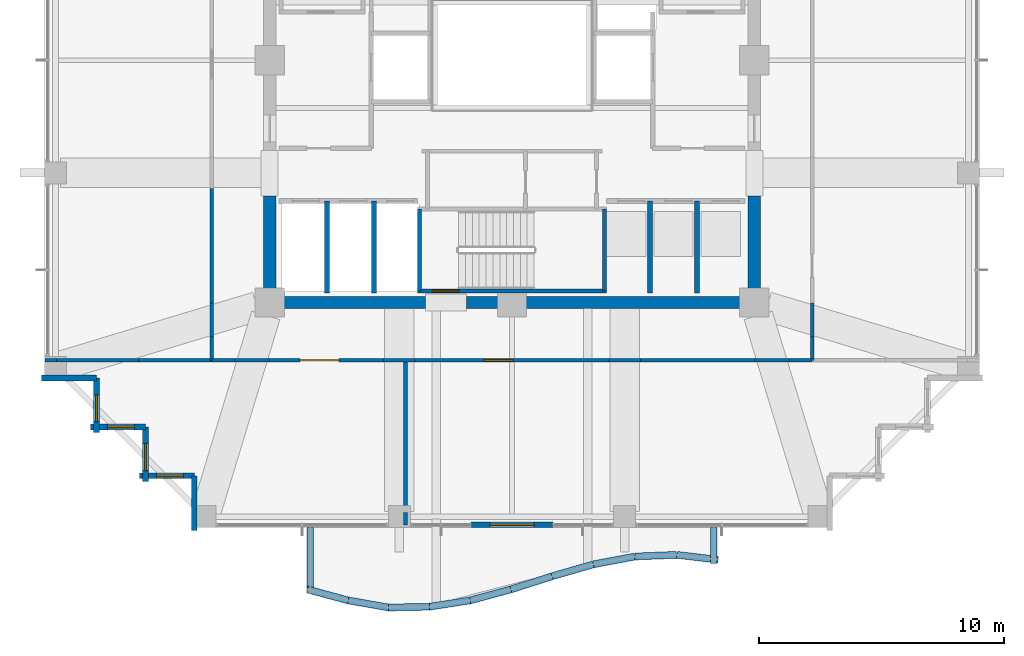
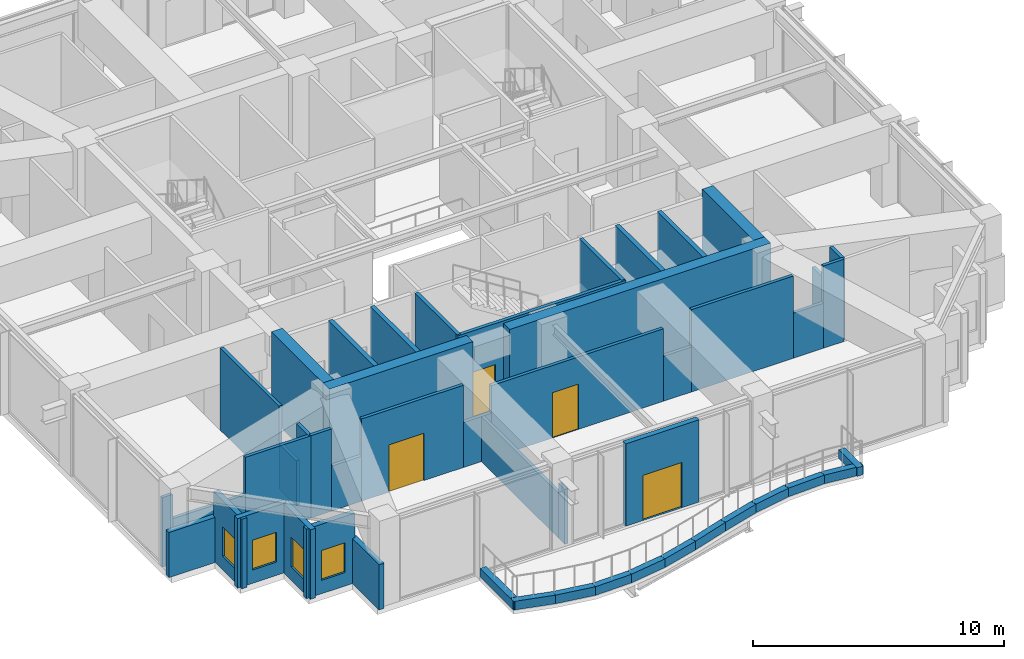
# One storey, part 26 of 33: 49 walls, 4 doors, 4 windows, 8 openings.
"""IFC4 building model written with IfcOpenShell, lengths in metres."""

from ifc_helpers import new_model, si_unit, direction, frame, frame_2d, origin, place, context, subcontext, project, spatial, rectangle, extrude, material, layer, layer_set, type_object, element, fill, save


model = new_model("IFC4")

# Units and contexts
model_context = context("Model", 3, precision=1e-05, world=origin(), true_north=direction((0.0, 1.0)))
body_context = subcontext(model_context, "Body", "Model", "MODEL_VIEW")
ifc_project = project(units=[si_unit("LENGTHUNIT", "METRE"), si_unit("AREAUNIT", "SQUARE_METRE"), si_unit("VOLUMEUNIT", "CUBIC_METRE"), si_unit("PLANEANGLEUNIT", "RADIAN"), si_unit("MASSUNIT", "GRAM", prefix="KILO")], contexts=[model_context])

# Site, building, storey
site_placement = place(None, origin())
site = spatial("IfcSite", under=ifc_project, at=site_placement, CompositionType="ELEMENT")
building_placement = place(site_placement, origin())
building = spatial("IfcBuilding", under=site, at=building_placement, Name="Kolvaren Belvedere", CompositionType="ELEMENT")
storey_placement = place(building_placement, frame((0.0, 0.0, 152.699951171875)))
storey = spatial("IfcBuildingStorey", under=building, at=storey_placement, Name="L44", CompositionType="ELEMENT", Elevation=152.699951171875)

# Walls
ifc_material_1 = material(Name="Concrete C50/60", Category="concrete")
ifc_layer_1 = layer(ifc_material_1, 0.5)
ifc_layer_set_1 = layer_set([ifc_layer_1], Name="Concrete C50/60")
wall_type_1 = type_object("IfcWallType", Name="CW-CORE-500", PredefinedType="SHEAR", material=ifc_layer_set_1)
wall_1_placement = place(storey_placement, frame((10.14990234375, -9.89990234375, 0.0), z_axis=(0.0, 0.0, 1.0), x_axis=(-1.0, 0.0, 0.0)))
element("IfcWall", 1, at=wall_1_placement, inside=storey, type_object=wall_type_1, Name="L44 South Core Shear Wall 1", PredefinedType="SHEAR", context=body_context, shape_type="SweptSolid", body=[
    extrude(rectangle(XDim=12.010009765625, YDim=0.5, at=frame_2d((6.0048828125, 0.0))), origin(), (0.0, 0.0, 1.0), 4.199951171875),
])
wall_2_placement = place(storey_placement, frame((-3.5400390625, -9.89990234375, 0.0), z_axis=(0.0, 0.0, 1.0), x_axis=(-1.0, 0.0, 0.0)))
element("IfcWall", 2, at=wall_2_placement, inside=storey, type_object=wall_type_1, Name="L44 South Core Shear Wall 2", PredefinedType="SHEAR", context=body_context, shape_type="SweptSolid", body=[
    extrude(rectangle(XDim=6.60986328125, YDim=0.5, at=frame_2d((3.304931640625, 0.0))), origin(), (0.0, 0.0, 1.0), 4.199951171875),
])
for number, where, z_axis, x_axis, name in (
    (3, (-9.89990234375, -9.64990234375, 0.0), (0.0, 0.0, 1.0), (0.0, 1.0, 0.0), "L44 West Core Shear Wall 1"),
    (4, (9.89990234375, -9.64990234375, 0.0), (0.0, 0.0, 1.0), (0.0, 1.0, 0.0), "L44 East Core Shear Wall 1"),
):
    element("IfcWall", number, at=place(storey_placement, frame(where, z_axis=z_axis, x_axis=x_axis)), inside=storey, type_object=wall_type_1, Name=name, PredefinedType="SHEAR", context=body_context, shape_type="SweptSolid", body=[
        extrude(rectangle(XDim=4.099853515625, YDim=0.5, at=frame_2d((2.0498046875, 0.0))), origin(), (0.0, 0.0, 1.0), 4.199951171875),
    ])

# Wall, opening, door
ifc_material_2 = material(Name="Concrete C50/60", Category="concrete")
ifc_layer_2 = layer(ifc_material_2, 0.159912109375)
ifc_layer_set_2 = layer_set([ifc_layer_2], Name="Concrete C50/60")
wall_type_2 = type_object("IfcWallType", Name="CW-STAIR-160", PredefinedType="SHEAR", material=ifc_layer_set_2)
wall_3_placement = place(storey_placement, frame((3.860107421875, -9.429931640625, 0.0), z_axis=(0.0, 0.0, 1.0), x_axis=(-1.0, 0.0, 0.0)))
wall_3 = element("IfcWall", 5, at=wall_3_placement, inside=storey, type_object=wall_type_2, Name="L44 Stair ST-3 South Shear Wall", PredefinedType="SHEAR", context=body_context, shape_type="SweptSolid", body=[
    extrude(rectangle(XDim=7.72021484375, YDim=0.159912109375, at=frame_2d((3.860107421875, 0.0))), origin(), (0.0, 0.0, 1.0), 4.199951171875),
])
opening_1_placement = place(wall_3_placement, frame((6.010009765625, 0.0, 0.0)))
opening_1 = element("IfcOpeningElement", 6, at=opening_1_placement, cuts=wall_3, Name="Opening D-FD90", PredefinedType="OPENING", context=body_context, shape_type="SweptSolid", body=[
    extrude(rectangle(XDim=1.10009765625, YDim=2.199951171875, at=frame_2d((0.550048828125, 1.10009765625))), frame((0.0, 0.08984375, 0.0), z_axis=(0.0, -1.0, 0.0), x_axis=(1.0, 0.0, 0.0)), (0.0, 0.0, 1.0), 0.179931640625),
])
ifc_material_3 = material(Name="Painted hollow stainless steel", Category="steel")
door_type_1 = type_object("IfcDoorType", Name="DR-FD90-1100", OperationType="NOTDEFINED", PredefinedType="DOOR", material=ifc_material_3)
door_1_placement = place(opening_1_placement, origin())
door_1 = element("IfcDoor", 7, at=door_1_placement, inside=storey, type_object=door_type_1, Name="L44 Stair ST-3 Exit Door", OperationType="SINGLE_SWING_RIGHT", OverallHeight=2.199951171875, OverallWidth=1.10009765625, PredefinedType="DOOR", context=body_context, shape_type="SweptSolid", body=[
    extrude(rectangle(XDim=1.10009765625, YDim=2.199951171875, at=frame_2d((0.550048828125, 1.10009765625))), frame((0.0, 0.02490234375, 0.0), z_axis=(0.0, -1.0, 0.0), x_axis=(1.0, 0.0, 0.0)), (0.0, 0.0, 1.0), 0.050048828125),
])
fill(opening_1, door_1)

# Walls
for number, where, z_axis, x_axis, name in (
    (8, (-3.780029296875, -9.429931640625, 0.0), (0.0, 0.0, 1.0), (0.0, 1.0, 0.0), "L44 Stair ST-3 West Shear Wall"),
    (9, (3.780029296875, -9.429931640625, 0.0), (0.0, 0.0, 1.0), (0.0, 1.0, 0.0), "L44 Stair ST-3 East Shear Wall"),
):
    element("IfcWall", number, at=place(storey_placement, frame(where, z_axis=z_axis, x_axis=x_axis)), inside=storey, type_object=wall_type_2, Name=name, PredefinedType="SHEAR", context=body_context, shape_type="SweptSolid", body=[
        extrude(rectangle(XDim=3.349853515625, YDim=0.159912109375, at=frame_2d((1.6748046875, 0.0))), origin(), (0.0, 0.0, 1.0), 4.199951171875),
    ])
ifc_material_4 = material(Name="Gypsum fire-rated partition assembly", Category="gypsum")
ifc_layer_3 = layer(ifc_material_4, 0.14990234375)
ifc_layer_set_3 = layer_set([ifc_layer_3], Name="Gypsum fire-rated partition assembly")
wall_type_3 = type_object("IfcWallType", Name="WL-CORR-150", PredefinedType="PARTITIONING", material=ifc_layer_set_3)
wall_4_placement = place(storey_placement, frame((-12.260009765625, -12.260009765625, 0.0), z_axis=(0.0, 0.0, 1.0), x_axis=(1.0, 0.0, 0.0)))
element("IfcWall", 10, at=wall_4_placement, inside=storey, type_object=wall_type_3, Name="L44 South Corridor Wall", PredefinedType="PARTITIONING", context=body_context, shape_type="SweptSolid", body=[
    extrude(rectangle(XDim=0.949462890625, YDim=0.14990234375, at=frame_2d((0.474609375, 0.0))), origin(), (0.0, 0.0, 1.0), 4.0),
])
wall_5_placement = place(storey_placement, frame((-11.310546875, -12.260009765625, 0.0), z_axis=(0.0, 0.0, 1.0), x_axis=(1.0, 0.0, 0.0)))
element("IfcWall", 11, at=wall_5_placement, inside=storey, type_object=wall_type_3, Name="L44 South Corridor Wall", PredefinedType="PARTITIONING", context=body_context, shape_type="SweptSolid", body=[
    extrude(rectangle(XDim=1.3916015625, YDim=0.14990234375, at=frame_2d((0.69580078125, 0.0))), origin(), (0.0, 0.0, 1.0), 2.18505859375),
])

# Wall, opening, door
wall_6_placement = place(storey_placement, frame((-9.9189453125, -12.260009765625, 0.0), z_axis=(0.0, 0.0, 1.0), x_axis=(1.0, 0.0, 0.0)))
wall_6 = element("IfcWall", 12, at=wall_6_placement, inside=storey, type_object=wall_type_3, Name="L44 South Corridor Wall", PredefinedType="PARTITIONING", context=body_context, shape_type="SweptSolid", body=[
    extrude(rectangle(XDim=4.677001953125, YDim=0.14990234375, at=frame_2d((2.33837890625, 0.0))), origin(), (0.0, 0.0, 1.0), 4.0),
])
opening_2_placement = place(wall_6_placement, frame((1.2587890625, 0.0, 0.0)))
opening_2 = element("IfcOpeningElement", 13, at=opening_2_placement, cuts=wall_6, Name="Opening D-GL16", PredefinedType="OPENING", context=body_context, shape_type="SweptSolid", body=[
    extrude(rectangle(XDim=1.60009765625, YDim=2.300048828125, at=frame_2d((0.800048828125, 1.14990234375))), frame((0.0, 0.0849609375, 0.0), z_axis=(0.0, -1.0, 0.0), x_axis=(1.0, 0.0, 0.0)), (0.0, 0.0, 1.0), 0.169921875),
])
ifc_material_5 = material(Name="Anodised pale-metal aluminium & safety glass", Category="aluminium")
door_type_2 = type_object("IfcDoorType", Name="DR-GLAZ-1600", OperationType="DOUBLE_DOOR_SINGLE_SWING", PredefinedType="DOOR", material=ifc_material_5)
door_2_placement = place(opening_2_placement, origin())
door_2 = element("IfcDoor", 14, at=door_2_placement, inside=storey, type_object=door_type_2, Name="L44 Atrium Overlook Horizon Lounge Door", OperationType="DOUBLE_DOOR_SINGLE_SWING", OverallHeight=2.300048828125, OverallWidth=1.60009765625, PredefinedType="DOOR", context=body_context, shape_type="SweptSolid", body=[
    extrude(rectangle(XDim=1.60009765625, YDim=2.300048828125, at=frame_2d((0.800048828125, 1.14990234375))), frame((0.0, 0.02490234375, 0.0), z_axis=(0.0, -1.0, 0.0), x_axis=(1.0, 0.0, 0.0)), (0.0, 0.0, 1.0), 0.050048828125),
])
fill(opening_2, door_2)

# Wall
wall_7_placement = place(storey_placement, frame((-5.241943359375, -12.260009765625, 0.0), z_axis=(0.0, 0.0, 1.0), x_axis=(1.0, 0.0, 0.0)))
element("IfcWall", 15, at=wall_7_placement, inside=storey, type_object=wall_type_3, Name="L44 South Corridor Wall", PredefinedType="PARTITIONING", context=body_context, shape_type="SweptSolid", body=[
    extrude(rectangle(XDim=1.283935546875, YDim=0.14990234375, at=frame_2d((0.64208984375, 0.0))), origin(), (0.0, 0.0, 1.0), 2.18505859375),
])

# Wall, opening, door
wall_8_placement = place(storey_placement, frame((-3.9580078125, -12.260009765625, 0.0), z_axis=(0.0, 0.0, 1.0), x_axis=(1.0, 0.0, 0.0)))
wall_8 = element("IfcWall", 16, at=wall_8_placement, inside=storey, type_object=wall_type_3, Name="L44 South Corridor Wall", PredefinedType="PARTITIONING", context=body_context, shape_type="SweptSolid", body=[
    extrude(rectangle(XDim=7.916015625, YDim=0.14990234375, at=frame_2d((3.9580078125, 0.0))), origin(), (0.0, 0.0, 1.0), 3.525146484375),
])
opening_3_placement = place(wall_8_placement, frame((2.80810546875, 0.0, 0.0)))
opening_3 = element("IfcOpeningElement", 17, at=opening_3_placement, cuts=wall_8, Name="Opening D-GL12", PredefinedType="OPENING", context=body_context, shape_type="SweptSolid", body=[
    extrude(rectangle(XDim=1.199951171875, YDim=2.199951171875, at=frame_2d((0.60009765625, 1.10009765625))), frame((0.0, 0.0849609375, 0.0), z_axis=(0.0, -1.0, 0.0), x_axis=(1.0, 0.0, 0.0)), (0.0, 0.0, 1.0), 0.169921875),
])
ifc_material_6 = material(Name="Anodised pale-metal aluminium & safety glass", Category="aluminium")
door_type_3 = type_object("IfcDoorType", Name="DR-GLAZ-1200", OperationType="DOUBLE_DOOR_SINGLE_SWING", PredefinedType="DOOR", material=ifc_material_6)
door_3_placement = place(opening_3_placement, origin())
door_3 = element("IfcDoor", 18, at=door_3_placement, inside=storey, type_object=door_type_3, Name="L44 Horizon Tasting Salon Door", OperationType="DOUBLE_DOOR_SINGLE_SWING", OverallHeight=2.199951171875, OverallWidth=1.199951171875, PredefinedType="DOOR", context=body_context, shape_type="SweptSolid", body=[
    extrude(rectangle(XDim=1.199951171875, YDim=2.199951171875, at=frame_2d((0.60009765625, 1.10009765625))), frame((0.0, 0.02490234375, 0.0), z_axis=(0.0, -1.0, 0.0), x_axis=(1.0, 0.0, 0.0)), (0.0, 0.0, 1.0), 0.050048828125),
])
fill(opening_3, door_3)

# Walls
wall_9_placement = place(storey_placement, frame((3.9580078125, -12.260009765625, 0.0), z_axis=(0.0, 0.0, 1.0), x_axis=(1.0, 0.0, 0.0)))
element("IfcWall", 19, at=wall_9_placement, inside=storey, type_object=wall_type_3, Name="L44 South Corridor Wall", PredefinedType="PARTITIONING", context=body_context, shape_type="SweptSolid", body=[
    extrude(rectangle(XDim=1.283935546875, YDim=0.14990234375, at=frame_2d((0.64208984375, 0.0))), origin(), (0.0, 0.0, 1.0), 2.18505859375),
])
wall_10_placement = place(storey_placement, frame((5.241943359375, -12.260009765625, 0.0), z_axis=(0.0, 0.0, 1.0), x_axis=(1.0, 0.0, 0.0)))
element("IfcWall", 20, at=wall_10_placement, inside=storey, type_object=wall_type_3, Name="L44 South Corridor Wall", PredefinedType="PARTITIONING", context=body_context, shape_type="SweptSolid", body=[
    extrude(rectangle(XDim=4.677001953125, YDim=0.14990234375, at=frame_2d((2.33837890625, 0.0))), origin(), (0.0, 0.0, 1.0), 4.0),
])
wall_11_placement = place(storey_placement, frame((9.9189453125, -12.260009765625, 0.0), z_axis=(0.0, 0.0, 1.0), x_axis=(1.0, 0.0, 0.0)))
element("IfcWall", 21, at=wall_11_placement, inside=storey, type_object=wall_type_3, Name="L44 South Corridor Wall", PredefinedType="PARTITIONING", context=body_context, shape_type="SweptSolid", body=[
    extrude(rectangle(XDim=1.3916015625, YDim=0.14990234375, at=frame_2d((0.69580078125, 0.0))), origin(), (0.0, 0.0, 1.0), 2.18505859375),
])
for number, where, z_axis, x_axis, name in (
    (22, (11.310546875, -12.260009765625, 0.0), (0.0, 0.0, 1.0), (1.0, 0.0, 0.0), "L44 South Corridor Wall"),
    (23, (-12.260009765625, -12.260009765625, 0.0), (0.0, 0.0, 1.0), (0.0, 1.0, 0.0), "L44 West Corridor Wall"),
):
    element("IfcWall", number, at=place(storey_placement, frame(where, z_axis=z_axis, x_axis=x_axis)), inside=storey, type_object=wall_type_3, Name=name, PredefinedType="PARTITIONING", context=body_context, shape_type="SweptSolid", body=[
        extrude(rectangle(XDim=0.949462890625, YDim=0.14990234375, at=frame_2d((0.474609375, 0.0))), origin(), (0.0, 0.0, 1.0), 4.0),
    ])
wall_12_placement = place(storey_placement, frame((-12.260009765625, -11.310546875, 0.0), z_axis=(0.0, 0.0, 1.0), x_axis=(0.0, 1.0, 0.0)))
element("IfcWall", 24, at=wall_12_placement, inside=storey, type_object=wall_type_3, Name="L44 West Corridor Wall", PredefinedType="PARTITIONING", context=body_context, shape_type="SweptSolid", body=[
    extrude(rectangle(XDim=1.3916015625, YDim=0.14990234375, at=frame_2d((0.69580078125, 0.0))), origin(), (0.0, 0.0, 1.0), 2.18505859375),
])
wall_13_placement = place(storey_placement, frame((-12.260009765625, -9.9189453125, 0.0), z_axis=(0.0, 0.0, 1.0), x_axis=(0.0, 1.0, 0.0)))
element("IfcWall", 25, at=wall_13_placement, inside=storey, type_object=wall_type_3, Name="L44 West Corridor Wall", PredefinedType="PARTITIONING", context=body_context, shape_type="SweptSolid", body=[
    extrude(rectangle(XDim=4.677001953125, YDim=0.14990234375, at=frame_2d((2.33837890625, 0.0))), origin(), (0.0, 0.0, 1.0), 4.0),
])
wall_14_placement = place(storey_placement, frame((12.260009765625, -12.260009765625, 0.0), z_axis=(0.0, 0.0, 1.0), x_axis=(0.0, 1.0, 0.0)))
element("IfcWall", 26, at=wall_14_placement, inside=storey, type_object=wall_type_3, Name="L44 East Corridor Wall", PredefinedType="PARTITIONING", context=body_context, shape_type="SweptSolid", body=[
    extrude(rectangle(XDim=0.949462890625, YDim=0.14990234375, at=frame_2d((0.474609375, 0.0))), origin(), (0.0, 0.0, 1.0), 4.0),
])
wall_15_placement = place(storey_placement, frame((12.260009765625, -11.310546875, 0.0), z_axis=(0.0, 0.0, 1.0), x_axis=(0.0, 1.0, 0.0)))
element("IfcWall", 27, at=wall_15_placement, inside=storey, type_object=wall_type_3, Name="L44 East Corridor Wall", PredefinedType="PARTITIONING", context=body_context, shape_type="SweptSolid", body=[
    extrude(rectangle(XDim=1.3916015625, YDim=0.14990234375, at=frame_2d((0.69580078125, 0.0))), origin(), (0.0, 0.0, 1.0), 2.18505859375),
])
wall_16_placement = place(storey_placement, frame((-19.080078125, -12.260009765625, 0.0), z_axis=(0.0, 0.0, 1.0), x_axis=(1.0, 0.0, 0.0)))
element("IfcWall", 28, at=wall_16_placement, inside=storey, type_object=wall_type_3, Name="L44 Sector Wall PW-L44-QSW", PredefinedType="PARTITIONING", context=body_context, shape_type="SweptSolid", body=[
    extrude(rectangle(XDim=0.473876953125, YDim=0.14990234375, at=frame_2d((0.23681640625, 0.0))), origin(), (0.0, 0.0, 1.0), 3.373046875),
])
wall_17_placement = place(storey_placement, frame((-18.606201171875, -12.260009765625, 0.0), z_axis=(0.0, 0.0, 1.0), x_axis=(1.0, 0.0, 0.0)))
element("IfcWall", 29, at=wall_17_placement, inside=storey, type_object=wall_type_3, Name="L44 Sector Wall PW-L44-QSW", PredefinedType="PARTITIONING", context=body_context, shape_type="SweptSolid", body=[
    extrude(rectangle(XDim=3.34228515625, YDim=0.14990234375, at=frame_2d((1.671142578125, 0.0))), origin(), (0.0, 0.0, 1.0), 2.18505859375),
])
wall_18_placement = place(storey_placement, frame((-15.263916015625, -12.260009765625, 0.0), z_axis=(0.0, 0.0, 1.0), x_axis=(1.0, 0.0, 0.0)))
element("IfcWall", 30, at=wall_18_placement, inside=storey, type_object=wall_type_3, Name="L44 Sector Wall PW-L44-QSW", PredefinedType="PARTITIONING", context=body_context, shape_type="SweptSolid", body=[
    extrude(rectangle(XDim=3.00390625, YDim=0.14990234375, at=frame_2d((1.501953125, 0.0))), origin(), (0.0, 0.0, 1.0), 4.0),
])

# Wall, opening, door
ifc_material_7 = material(Name="Insulated pale-metal facade wall assembly", Category="aluminium")
ifc_layer_4 = layer(ifc_material_7, 0.239990234375)
ifc_layer_set_4 = layer_set([ifc_layer_4], Name="Insulated pale-metal facade wall assembly")
wall_type_4 = type_object("IfcWallType", Name="WL-EXT-240", PredefinedType="STANDARD", material=ifc_layer_set_4)
wall_19_placement = place(storey_placement, frame((1.679931640625, -18.97998046875, 0.0), z_axis=(0.0, 0.0, 1.0), x_axis=(-1.0, 0.0, 0.0)))
wall_19 = element("IfcWall", 31, at=wall_19_placement, inside=storey, type_object=wall_type_4, Name="L44 South Terrace Portal Wall", PredefinedType="STANDARD", context=body_context, shape_type="SweptSolid", body=[
    extrude(rectangle(XDim=3.35986328125, YDim=0.239990234375, at=frame_2d((1.679931640625, 0.0))), origin(), (0.0, 0.0, 1.0), 4.0),
])
opening_4_placement = place(wall_19_placement, frame((0.780029296875, 0.0, 0.0)))
opening_4 = element("IfcOpeningElement", 32, at=opening_4_placement, cuts=wall_19, Name="Opening DB-1800", PredefinedType="OPENING", context=body_context, shape_type="SweptSolid", body=[
    extrude(rectangle(XDim=1.800048828125, YDim=2.199951171875, at=frame_2d((0.89990234375, 1.10009765625))), frame((0.0, 0.1298828125, 0.0), z_axis=(0.0, -1.0, 0.0), x_axis=(1.0, 0.0, 0.0)), (0.0, 0.0, 1.0), 0.260009765625),
])
ifc_material_8 = material(Name="Thermally broken pale-metal aluminium & low-iron glass", Category="aluminium")
door_type_4 = type_object("IfcDoorType", Name="DR-BAL-1800", OperationType="DOUBLE_DOOR_SLIDING", PredefinedType="DOOR", material=ifc_material_8)
door_4_placement = place(opening_4_placement, origin())
door_4 = element("IfcDoor", 33, at=door_4_placement, inside=storey, type_object=door_type_4, Name="L44 South Planted Terrace Sliding Door", OperationType="DOUBLE_DOOR_SLIDING", OverallHeight=2.199951171875, OverallWidth=1.800048828125, PredefinedType="DOOR", context=body_context, shape_type="SweptSolid", body=[
    extrude(rectangle(XDim=1.800048828125, YDim=2.199951171875, at=frame_2d((0.89990234375, 1.10009765625))), frame((0.0, 0.02490234375, 0.0), z_axis=(0.0, -1.0, 0.0), x_axis=(1.0, 0.0, 0.0)), (0.0, 0.0, 1.0), 0.050048828125),
])
fill(opening_4, door_4)

# Wall
wall_20_placement = place(storey_placement, frame((-16.97998046875, -12.97998046875, 0.0), z_axis=(0.0, 0.0, 1.0), x_axis=(-1.0, 0.0, 0.0)))
element("IfcWall", 34, at=wall_20_placement, inside=storey, type_object=wall_type_4, Name="L44 Serrated Corner Facade Wall 23", PredefinedType="STANDARD", context=body_context, shape_type="SweptSolid", body=[
    extrude(rectangle(XDim=2.239990234375, YDim=0.239990234375, at=frame_2d((1.1201171875, 0.0))), origin(), (0.0, 0.0, 1.0), 2.195068359375),
])

# Wall, opening, window
wall_21_placement = place(storey_placement, frame((-16.97998046875, -15.219970703125, 0.0), z_axis=(0.0, 0.0, 1.0), x_axis=(0.0, 1.0, 0.0)))
wall_21 = element("IfcWall", 35, at=wall_21_placement, inside=storey, type_object=wall_type_4, Name="L44 Serrated Corner Facade Wall 24", PredefinedType="STANDARD", context=body_context, shape_type="SweptSolid", body=[
    extrude(rectangle(XDim=2.239990234375, YDim=0.239990234375, at=frame_2d((1.1201171875, 0.0))), origin(), (0.0, 0.0, 1.0), 3.383056640625),
])
opening_5_placement = place(wall_21_placement, frame((0.449951171875, 0.0, 0.64990234375)))
opening_5 = element("IfcOpeningElement", 36, at=opening_5_placement, cuts=wall_21, Name="Opening W-1100", PredefinedType="OPENING", context=body_context, shape_type="SweptSolid", body=[
    extrude(rectangle(XDim=1.10009765625, YDim=1.449951171875, at=frame_2d((0.550048828125, 0.72509765625))), frame((0.0, 0.1298828125, 0.0), z_axis=(0.0, -1.0, 0.0), x_axis=(1.0, 0.0, 0.0)), (0.0, 0.0, 1.0), 0.260009765625),
])
ifc_material_9 = material(Name="Low-iron triple insulated glass", Category="glass")
window_type = type_object("IfcWindowType", Name="WN-CORN-1100", PartitioningType="SINGLE_PANEL", PredefinedType="WINDOW", material=ifc_material_9)
window_1_placement = place(opening_5_placement, origin())
window_1 = element("IfcWindow", 37, at=window_1_placement, inside=storey, type_object=window_type, Name="L44 Serrated Corner Vision Window 24", OverallHeight=1.449951171875, OverallWidth=1.10009765625, PartitioningType="SINGLE_PANEL", PredefinedType="WINDOW", context=body_context, shape_type="SweptSolid", body=[
    extrude(rectangle(XDim=1.10009765625, YDim=1.449951171875, at=frame_2d((0.550048828125, 0.72509765625))), frame((0.0, 0.030029296875, 0.0), z_axis=(0.0, -1.0, 0.0), x_axis=(1.0, 0.0, 0.0)), (0.0, 0.0, 1.0), 0.06005859375),
])
fill(opening_5, window_1)

wall_22_placement = place(storey_placement, frame((-14.97998046875, -14.97998046875, 0.0), z_axis=(0.0, 0.0, 1.0), x_axis=(-1.0, 0.0, 0.0)))
wall_22 = element("IfcWall", 38, at=wall_22_placement, inside=storey, type_object=wall_type_4, Name="L44 Serrated Corner Facade Wall 25", PredefinedType="STANDARD", context=body_context, shape_type="SweptSolid", body=[
    extrude(rectangle(XDim=2.239990234375, YDim=0.239990234375, at=frame_2d((1.1201171875, 0.0))), origin(), (0.0, 0.0, 1.0), 3.383056640625),
])
opening_6_placement = place(wall_22_placement, frame((0.449951171875, 0.0, 0.64990234375)))
opening_6 = element("IfcOpeningElement", 39, at=opening_6_placement, cuts=wall_22, Name="Opening W-1100", PredefinedType="OPENING", context=body_context, shape_type="SweptSolid", body=[
    extrude(rectangle(XDim=1.10009765625, YDim=1.449951171875, at=frame_2d((0.550048828125, 0.72509765625))), frame((0.0, 0.1298828125, 0.0), z_axis=(0.0, -1.0, 0.0), x_axis=(1.0, 0.0, 0.0)), (0.0, 0.0, 1.0), 0.260009765625),
])
window_2_placement = place(opening_6_placement, origin())
window_2 = element("IfcWindow", 40, at=window_2_placement, inside=storey, type_object=window_type, Name="L44 Serrated Corner Vision Window 25", OverallHeight=1.449951171875, OverallWidth=1.10009765625, PartitioningType="SINGLE_PANEL", PredefinedType="WINDOW", context=body_context, shape_type="SweptSolid", body=[
    extrude(rectangle(XDim=1.10009765625, YDim=1.449951171875, at=frame_2d((0.550048828125, 0.72509765625))), frame((0.0, 0.030029296875, 0.0), z_axis=(0.0, -1.0, 0.0), x_axis=(1.0, 0.0, 0.0)), (0.0, 0.0, 1.0), 0.06005859375),
])
fill(opening_6, window_2)

wall_23_placement = place(storey_placement, frame((-14.97998046875, -17.219970703125, 0.0), z_axis=(0.0, 0.0, 1.0), x_axis=(0.0, 1.0, 0.0)))
wall_23 = element("IfcWall", 41, at=wall_23_placement, inside=storey, type_object=wall_type_4, Name="L44 Serrated Corner Facade Wall 26", PredefinedType="STANDARD", context=body_context, shape_type="SweptSolid", body=[
    extrude(rectangle(XDim=2.239990234375, YDim=0.239990234375, at=frame_2d((1.1201171875, 0.0))), origin(), (0.0, 0.0, 1.0), 3.383056640625),
])
opening_7_placement = place(wall_23_placement, frame((0.449951171875, 0.0, 0.64990234375)))
opening_7 = element("IfcOpeningElement", 42, at=opening_7_placement, cuts=wall_23, Name="Opening W-1100", PredefinedType="OPENING", context=body_context, shape_type="SweptSolid", body=[
    extrude(rectangle(XDim=1.10009765625, YDim=1.449951171875, at=frame_2d((0.550048828125, 0.72509765625))), frame((0.0, 0.1298828125, 0.0), z_axis=(0.0, -1.0, 0.0), x_axis=(1.0, 0.0, 0.0)), (0.0, 0.0, 1.0), 0.260009765625),
])
window_3_placement = place(opening_7_placement, origin())
window_3 = element("IfcWindow", 43, at=window_3_placement, inside=storey, type_object=window_type, Name="L44 Serrated Corner Vision Window 26", OverallHeight=1.449951171875, OverallWidth=1.10009765625, PartitioningType="SINGLE_PANEL", PredefinedType="WINDOW", context=body_context, shape_type="SweptSolid", body=[
    extrude(rectangle(XDim=1.10009765625, YDim=1.449951171875, at=frame_2d((0.550048828125, 0.72509765625))), frame((0.0, 0.030029296875, 0.0), z_axis=(0.0, -1.0, 0.0), x_axis=(1.0, 0.0, 0.0)), (0.0, 0.0, 1.0), 0.06005859375),
])
fill(opening_7, window_3)

wall_24_placement = place(storey_placement, frame((-12.97998046875, -16.97998046875, 0.0), z_axis=(0.0, 0.0, 1.0), x_axis=(-1.0, 0.0, 0.0)))
wall_24 = element("IfcWall", 44, at=wall_24_placement, inside=storey, type_object=wall_type_4, Name="L44 Serrated Corner Facade Wall 27", PredefinedType="STANDARD", context=body_context, shape_type="SweptSolid", body=[
    extrude(rectangle(XDim=2.239990234375, YDim=0.239990234375, at=frame_2d((1.1201171875, 0.0))), origin(), (0.0, 0.0, 1.0), 3.383056640625),
])
opening_8_placement = place(wall_24_placement, frame((0.449951171875, 0.0, 0.64990234375)))
opening_8 = element("IfcOpeningElement", 45, at=opening_8_placement, cuts=wall_24, Name="Opening W-1100", PredefinedType="OPENING", context=body_context, shape_type="SweptSolid", body=[
    extrude(rectangle(XDim=1.10009765625, YDim=1.449951171875, at=frame_2d((0.550048828125, 0.72509765625))), frame((0.0, 0.1298828125, 0.0), z_axis=(0.0, -1.0, 0.0), x_axis=(1.0, 0.0, 0.0)), (0.0, 0.0, 1.0), 0.260009765625),
])
window_4_placement = place(opening_8_placement, origin())
window_4 = element("IfcWindow", 46, at=window_4_placement, inside=storey, type_object=window_type, Name="L44 Serrated Corner Vision Window 27", OverallHeight=1.449951171875, OverallWidth=1.10009765625, PartitioningType="SINGLE_PANEL", PredefinedType="WINDOW", context=body_context, shape_type="SweptSolid", body=[
    extrude(rectangle(XDim=1.10009765625, YDim=1.449951171875, at=frame_2d((0.550048828125, 0.72509765625))), frame((0.0, 0.030029296875, 0.0), z_axis=(0.0, -1.0, 0.0), x_axis=(1.0, 0.0, 0.0)), (0.0, 0.0, 1.0), 0.06005859375),
])
fill(opening_8, window_4)

# Walls
wall_25_placement = place(storey_placement, frame((-12.97998046875, -19.219970703125, 0.0), z_axis=(0.0, 0.0, 1.0), x_axis=(0.0, 1.0, 0.0)))
element("IfcWall", 47, at=wall_25_placement, inside=storey, type_object=wall_type_4, Name="L44 Serrated Corner Facade Wall 28", PredefinedType="STANDARD", context=body_context, shape_type="SweptSolid", body=[
    extrude(rectangle(XDim=2.239990234375, YDim=0.239990234375, at=frame_2d((1.1201171875, 0.0))), origin(), (0.0, 0.0, 1.0), 2.195068359375),
])
ifc_material_10 = material(Name="Gypsum acoustic partition assembly", Category="gypsum")
ifc_layer_5 = layer(ifc_material_10, 0.14990234375)
ifc_layer_set_5 = layer_set([ifc_layer_5], Name="Gypsum acoustic partition assembly")
wall_type_5 = type_object("IfcWallType", Name="WL-PART-150", PredefinedType="PARTITIONING", material=ifc_layer_set_5)
wall_26_placement = place(storey_placement, frame((-4.35009765625, -18.97998046875, 0.0), z_axis=(0.0, 0.0, 1.0), x_axis=(0.0, 1.0, 0.0)))
element("IfcWall", 48, at=wall_26_placement, inside=storey, type_object=wall_type_5, Name="L44 South Salon Divider", PredefinedType="PARTITIONING", context=body_context, shape_type="SweptSolid", body=[
    extrude(rectangle(XDim=0.50244140625, YDim=0.14990234375, at=frame_2d((0.251220703125, 0.0))), origin(), (0.0, 0.0, 1.0), 2.678955078125),
])
wall_27_placement = place(storey_placement, frame((-4.35009765625, -18.4775390625, 0.0), z_axis=(0.0, 0.0, 1.0), x_axis=(0.0, 1.0, 0.0)))
element("IfcWall", 49, at=wall_27_placement, inside=storey, type_object=wall_type_5, Name="L44 South Salon Divider", PredefinedType="PARTITIONING", context=body_context, shape_type="SweptSolid", body=[
    extrude(rectangle(XDim=6.217529296875, YDim=0.14990234375, at=frame_2d((3.10888671875, 0.0))), origin(), (0.0, 0.0, 1.0), 2.18505859375),
])
ifc_material_11 = material(Name="Precast concrete C40/50", Category="concrete")
ifc_layer_6 = layer(ifc_material_11, 0.300048828125)
ifc_layer_set_6 = layer_set([ifc_layer_6], Name="Precast concrete C40/50")
wall_type_6 = type_object("IfcWallType", Name="WL-PLANTER-300", PredefinedType="PARAPET", material=ifc_layer_set_6)
wall_28_placement = place(storey_placement, frame((-8.3583984375, -21.619140625, -0.119873046875), z_axis=(0.0, 0.0, 1.0), x_axis=(0.965434024814, -0.260647546949, 0.0)))
element("IfcWall", 50, at=wall_28_placement, inside=storey, type_object=wall_type_6, Name="L44 Precast Structural Planter Wall BAL-S-1", PredefinedType="PARAPET", context=body_context, shape_type="SweptSolid", body=[
    extrude(rectangle(XDim=1.740234375, YDim=0.280029296875, at=frame_2d((0.8701171875, 0.0))), origin(), (0.0, 0.0, 1.0), 0.419921875),
])
wall_29_placement = place(storey_placement, frame((-6.6923828125, -22.069580078125, -0.119873046875), z_axis=(0.0, 0.0, 1.0), x_axis=(0.985156010777, -0.171661394699, 0.0)))
element("IfcWall", 51, at=wall_29_placement, inside=storey, type_object=wall_type_6, Name="L44 Precast Structural Planter Wall BAL-S-2", PredefinedType="PARAPET", context=body_context, shape_type="SweptSolid", body=[
    extrude(rectangle(XDim=1.705322265625, YDim=0.280029296875, at=frame_2d((0.8525390625, 0.0))), origin(), (0.0, 0.0, 1.0), 0.419921875),
])
wall_30_placement = place(storey_placement, frame((-5.043212890625, -22.360107421875, -0.119873046875), z_axis=(0.0, 0.0, 1.0), x_axis=(0.999796031266, 0.020196431964, 0.0)))
element("IfcWall", 52, at=wall_30_placement, inside=storey, type_object=wall_type_6, Name="L44 Precast Structural Planter Wall BAL-S-3", PredefinedType="PARAPET", context=body_context, shape_type="SweptSolid", body=[
    extrude(rectangle(XDim=1.68017578125, YDim=0.280029296875, at=frame_2d((0.840087890625, 0.0))), origin(), (0.0, 0.0, 1.0), 0.419921875),
])
wall_31_placement = place(storey_placement, frame((-3.384521484375, -22.327880859375, -0.119873046875), z_axis=(0.0, 0.0, 1.0), x_axis=(0.988345118302, 0.152229849666, 0.0)))
element("IfcWall", 53, at=wall_31_placement, inside=storey, type_object=wall_type_6, Name="L44 Precast Structural Planter Wall BAL-S-4", PredefinedType="PARAPET", context=body_context, shape_type="SweptSolid", body=[
    extrude(rectangle(XDim=1.699951171875, YDim=0.280029296875, at=frame_2d((0.85009765625, 0.0))), origin(), (0.0, 0.0, 1.0), 0.419921875),
])
wall_32_placement = place(storey_placement, frame((-1.7216796875, -22.07275390625, -0.119873046875), z_axis=(0.0, 0.0, 1.0), x_axis=(0.965424492388, 0.260682852326, 0.0)))
element("IfcWall", 54, at=wall_32_placement, inside=storey, type_object=wall_type_6, Name="L44 Precast Structural Planter Wall BAL-S-5", PredefinedType="PARAPET", context=body_context, shape_type="SweptSolid", body=[
    extrude(rectangle(XDim=1.739990234375, YDim=0.280029296875, at=frame_2d((0.8701171875, 0.0))), origin(), (0.0, 0.0, 1.0), 0.419921875),
])
wall_33_placement = place(storey_placement, frame((-0.048583984375, -21.621337890625, -0.119873046875), z_axis=(0.0, 0.0, 1.0), x_axis=(0.952661770826, 0.304032153573, 0.0)))
element("IfcWall", 55, at=wall_33_placement, inside=storey, type_object=wall_type_6, Name="L44 Precast Structural Planter Wall BAL-S-6", PredefinedType="PARAPET", context=body_context, shape_type="SweptSolid", body=[
    extrude(rectangle(XDim=1.763427734375, YDim=0.280029296875, at=frame_2d((0.8818359375, 0.0))), origin(), (0.0, 0.0, 1.0), 0.419921875),
])
wall_34_placement = place(storey_placement, frame((1.635498046875, -21.083984375, -0.119873046875), z_axis=(0.0, 0.0, 1.0), x_axis=(0.96059663827, 0.277946215201, 0.0)))
element("IfcWall", 56, at=wall_34_placement, inside=storey, type_object=wall_type_6, Name="L44 Precast Structural Planter Wall BAL-S-7", PredefinedType="PARAPET", context=body_context, shape_type="SweptSolid", body=[
    extrude(rectangle(XDim=1.748779296875, YDim=0.280029296875, at=frame_2d((0.87451171875, 0.0))), origin(), (0.0, 0.0, 1.0), 0.419921875),
])
wall_35_placement = place(storey_placement, frame((3.330322265625, -20.594482421875, -0.119873046875), z_axis=(0.0, 0.0, 1.0), x_axis=(0.982778293957, 0.184788595231, 0.0)))
element("IfcWall", 57, at=wall_35_placement, inside=storey, type_object=wall_type_6, Name="L44 Precast Structural Planter Wall BAL-S-8", PredefinedType="PARAPET", context=body_context, shape_type="SweptSolid", body=[
    extrude(rectangle(XDim=1.709716796875, YDim=0.280029296875, at=frame_2d((0.85498046875, 0.0))), origin(), (0.0, 0.0, 1.0), 0.419921875),
])
wall_36_placement = place(storey_placement, frame((5.03369140625, -20.27587890625, -0.119873046875), z_axis=(0.0, 0.0, 1.0), x_axis=(0.999196545286, 0.040078222133, 0.0)))
element("IfcWall", 58, at=wall_36_placement, inside=storey, type_object=wall_type_6, Name="L44 Precast Structural Planter Wall BAL-S-9", PredefinedType="PARAPET", context=body_context, shape_type="SweptSolid", body=[
    extrude(rectangle(XDim=1.681396484375, YDim=0.280029296875, at=frame_2d((0.8408203125, 0.0))), origin(), (0.0, 0.0, 1.0), 0.419921875),
])
wall_37_placement = place(storey_placement, frame((6.73876953125, -20.209716796875, -0.119873046875), z_axis=(0.0, 0.0, 1.0), x_axis=(0.993142720498, -0.116908240605, 0.0)))
element("IfcWall", 59, at=wall_37_placement, inside=storey, type_object=wall_type_6, Name="L44 Precast Structural Planter Wall BAL-S-10", PredefinedType="PARAPET", context=body_context, shape_type="SweptSolid", body=[
    extrude(rectangle(XDim=1.691650390625, YDim=0.280029296875, at=frame_2d((0.845703125, 0.0))), origin(), (0.0, 0.0, 1.0), 0.419921875),
])
wall_38_placement = place(storey_placement, frame((8.239990234375, -20.56640625, -0.119873046875), z_axis=(0.0, 0.0, 1.0), x_axis=(0.0, 1.0, 0.0)))
element("IfcWall", 60, at=wall_38_placement, inside=storey, type_object=wall_type_6, Name="L44 Precast Structural Planter Wall BAL-S-11", PredefinedType="PARAPET", context=body_context, shape_type="SweptSolid", body=[
    extrude(rectangle(XDim=1.46630859375, YDim=0.280029296875, at=frame_2d((0.733154296875, 0.0))), origin(), (0.0, 0.0, 1.0), 0.419921875),
])
wall_39_placement = place(storey_placement, frame((-8.239990234375, -19.10009765625, -0.119873046875), z_axis=(0.0, 0.0, 1.0), x_axis=(0.0, -1.0, 0.0)))
element("IfcWall", 61, at=wall_39_placement, inside=storey, type_object=wall_type_6, Name="L44 Precast Structural Planter Wall BAL-S-22", PredefinedType="PARAPET", context=body_context, shape_type="SweptSolid", body=[
    extrude(rectangle(XDim=2.673583984375, YDim=0.280029296875, at=frame_2d((1.3369140625, 0.0))), origin(), (0.0, 0.0, 1.0), 0.419921875),
])
ifc_material_12 = material(Name="Concrete C50/60", Category="concrete")
ifc_layer_7 = layer(ifc_material_12, 0.199951171875)
ifc_layer_set_7 = layer_set([ifc_layer_7], Name="Concrete C50/60")
wall_type_7 = type_object("IfcWallType", Name="WL-SHAFT-200", PredefinedType="SOLIDWALL", material=ifc_layer_set_7)
for number, where, z_axis, x_axis, name in (
    (62, (-7.56005859375, -9.52001953125, 0.0), (0.0, 0.0, 1.0), (0.0, 1.0, 0.0), "L44 Mid-Rise Hoistway Divider 1"),
    (63, (-5.6298828125, -9.52001953125, 0.0), (0.0, 0.0, 1.0), (0.0, 1.0, 0.0), "L44 Mid-Rise Hoistway Divider 2"),
    (64, (5.6298828125, -9.52001953125, 0.0), (0.0, 0.0, 1.0), (0.0, 1.0, 0.0), "L44 High-Rise Hoistway Divider 1"),
    (65, (7.56005859375, -9.52001953125, 0.0), (0.0, 0.0, 1.0), (0.0, 1.0, 0.0), "L44 High-Rise Hoistway Divider 2"),
):
    element("IfcWall", number, at=place(storey_placement, frame(where, z_axis=z_axis, x_axis=x_axis)), inside=storey, type_object=wall_type_7, Name=name, PredefinedType="SOLIDWALL", context=body_context, shape_type="SweptSolid", body=[
        extrude(rectangle(XDim=3.77001953125, YDim=0.199951171875, at=frame_2d((1.885009765625, 0.0))), origin(), (0.0, 0.0, 1.0), 4.0),
    ])

save(model, "model.ifc")
